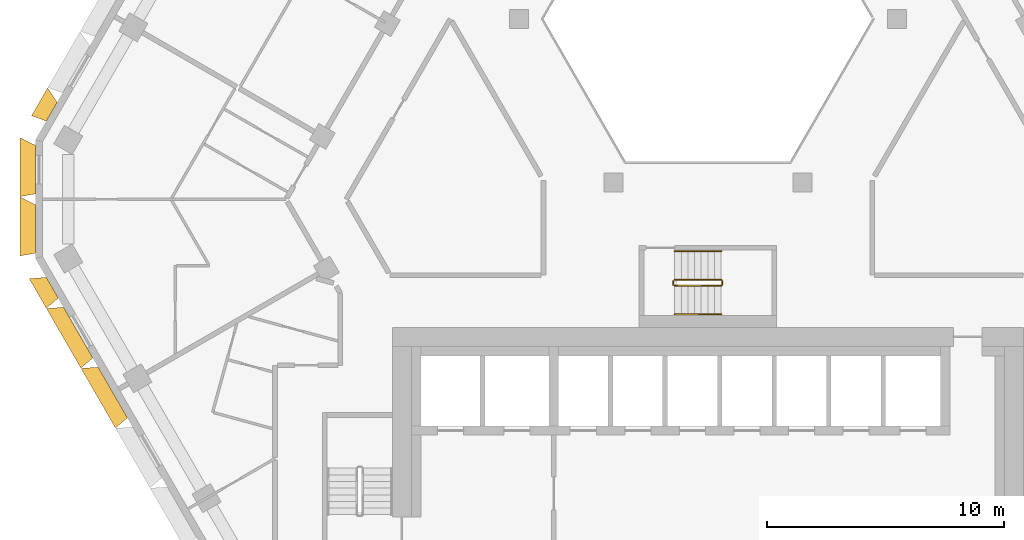
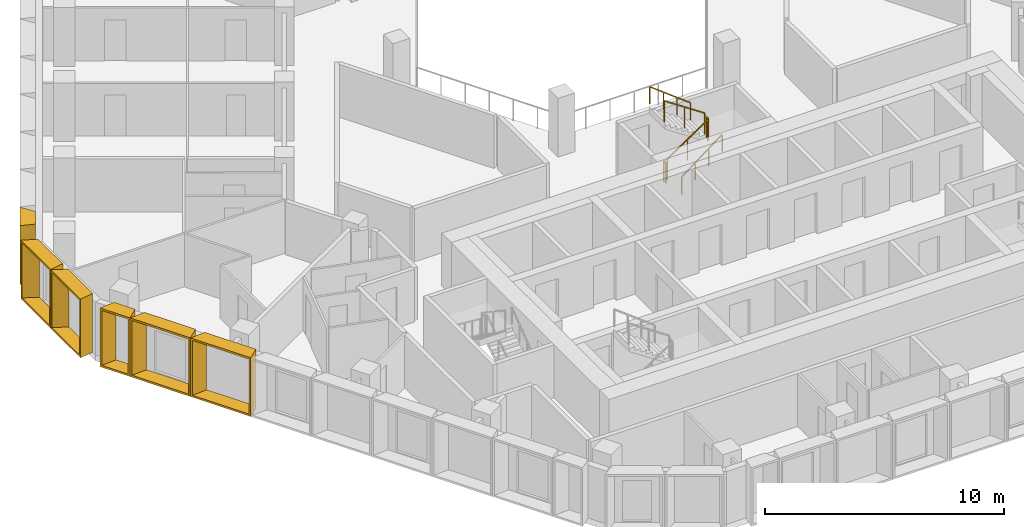
# One storey, part 13 of 15: 6 railings, 6 shading devices.
"""IFC4 building model written with IfcOpenShell, lengths in metres."""

import ifcopenshell
import ifcopenshell.guid

model = None  # the IFC model being written
_history = None  # IfcOwnerHistory: only IFC2X3 demands one
_inside = {}  # id of a spatial element -> (the spatial element, [elements in it])
_under = {}  # id of a project, library or spatial element -> (it, [spatial elements below it])
_declared = {}  # id of a project -> (the project, [libraries it declares])
_typed = {}  # id of a type object -> (the type object, [elements of that type])
_made_of = {}  # id of a material, layer set ... -> (it, [elements and type objects made of it])


def new_model(schema):
    """Start an empty IFC model of exactly this schema.

    Asked for "IFC4X3", IfcOpenShell would pick the latest addendum, in which some entities
    have other attributes; the version numbers below select the first issue.
    IFC2X3 requires an IfcOwnerHistory on every rooted entity: one is made here for all.
    """
    global model, _history
    if schema == "IFC4X3":
        model = ifcopenshell.file(schema_version=(4, 3, 0, 0))
    else:
        model = ifcopenshell.file(schema=schema)
    _inside.clear()
    _under.clear()
    _declared.clear()
    _typed.clear()
    _made_of.clear()
    _history = None
    if model.schema == "IFC2X3":
        org = make("IfcOrganization", Name="unknown")
        user = make(
            "IfcPersonAndOrganization",
            ThePerson=make("IfcPerson", FamilyName="unknown"),
            TheOrganization=org,
        )
        app = make(
            "IfcApplication",
            ApplicationDeveloper=org,
            Version="unknown",
            ApplicationFullName="unknown",
            ApplicationIdentifier="unknown",
        )
        _history = make(
            "IfcOwnerHistory",
            OwningUser=user,
            OwningApplication=app,
            ChangeAction="ADDED",
            CreationDate=0,
        )
    return model


def make(cls, **values):
    """One entity of the class cls with the attributes given. An attribute that is None is left unset."""
    return model.create_entity(
        cls, **{name: value for name, value in values.items() if value is not None}
    )


def entity(cls, *values):
    """Any entity or typed value of the class cls, its attributes in the order of the schema. None: left unset."""
    e = model.create_entity(cls)
    for i, value in enumerate(values):
        if value is not None:
            e[i] = value
    return e


def rooted(cls, **values):
    """An entity with a GlobalId (a new one), such as an element, a storey or a relation."""
    return make(cls, GlobalId=ifcopenshell.guid.new(), OwnerHistory=_history, **values)


def si_unit(unit_type, name, prefix=None):
    """IfcSIUnit, for example si_unit("LENGTHUNIT", "METRE", prefix="MILLI")."""
    return make("IfcSIUnit", UnitType=unit_type, Prefix=prefix, Name=name)


def assignment(units):
    """IfcUnitAssignment: the units of a project."""
    return None if units is None else make("IfcUnitAssignment", Units=units)


def point(xyz):
    """IfcCartesianPoint."""
    return None if xyz is None else make("IfcCartesianPoint", Coordinates=xyz)


def direction(xyz):
    """IfcDirection."""
    return None if xyz is None else make("IfcDirection", DirectionRatios=xyz)


def frame(location, z_axis=None, x_axis=None):
    """IfcAxis2Placement3D, a coordinate frame: its origin and axes. An axis left out is left unset."""
    return make(
        "IfcAxis2Placement3D",
        Location=point(location),
        Axis=direction(z_axis),
        RefDirection=direction(x_axis),
    )


def frame_2d(location, x_axis=None):
    """IfcAxis2Placement2D, a coordinate frame in the plane: its origin and x axis."""
    return make(
        "IfcAxis2Placement2D", Location=point(location), RefDirection=direction(x_axis)
    )


def origin():
    """The frame at (0, 0, 0) with its axes left unset."""
    return frame((0.0, 0.0, 0.0))


def origin_2d():
    """The frame at (0, 0) in the plane with its x axis left unset."""
    return frame_2d((0.0, 0.0))


def place(relative_to, where):
    """IfcLocalPlacement: puts the frame where relative to a parent placement (None: the world)."""
    return make(
        "IfcLocalPlacement", PlacementRelTo=relative_to, RelativePlacement=where
    )


def context(
    kind, dimensions, precision=None, world=None, true_north=None, identifier=None
):
    """IfcGeometricRepresentationContext, for example the 3D "Model" context."""
    return make(
        "IfcGeometricRepresentationContext",
        ContextIdentifier=identifier,
        ContextType=kind,
        CoordinateSpaceDimension=dimensions,
        Precision=precision,
        WorldCoordinateSystem=world,
        TrueNorth=true_north,
    )


def subcontext(parent, identifier, kind, view, scale=None):
    """IfcGeometricRepresentationSubContext, for example "Body" below "Model"."""
    return make(
        "IfcGeometricRepresentationSubContext",
        ContextIdentifier=identifier,
        ContextType=kind,
        ParentContext=parent,
        TargetScale=scale,
        TargetView=view,
    )


def project(units=None, contexts=None):
    """IfcProject with its units and contexts."""
    return rooted(
        "IfcProject",
        Name="project",
        RepresentationContexts=contexts,
        UnitsInContext=assignment(units),
    )


def spatial(cls, under=None, at=None, **own):
    """A site, building, storey or space (cls), placed at a placement, below another one or the project."""
    s = rooted(cls, ObjectPlacement=at, **own)
    if under is not None:
        _under.setdefault(under.id(), (under, []))[1].append(s)
    return s


def profile(cls, at=None, kind="AREA", **sizes):
    """A parametric profile (cls). Its sizes go by their IFC names, for example OverallWidth=200.0."""
    return make(cls, ProfileType=kind, Position=at, **sizes)


def rectangle(**sizes):
    """IfcRectangleProfileDef."""
    return profile("IfcRectangleProfileDef", **sizes)


def extrude(swept, where, along, depth):
    """IfcExtrudedAreaSolid: the profile swept, set in the frame where, extruded along a direction by depth."""
    return make(
        "IfcExtrudedAreaSolid",
        SweptArea=swept,
        Position=where,
        ExtrudedDirection=direction(along),
        Depth=depth,
    )


def shape(context_of_items, identifier, shape_type, items):
    """IfcShapeRepresentation: the items that make up one representation, for example the "Body"."""
    return make(
        "IfcShapeRepresentation",
        ContextOfItems=context_of_items,
        RepresentationIdentifier=identifier,
        RepresentationType=shape_type,
        Items=items,
    )


def source(mapping_origin, context_of_items, identifier, shape_type, items):
    """IfcRepresentationMap: a shape defined once, which mapped items show again and again."""
    return make(
        "IfcRepresentationMap",
        MappingOrigin=mapping_origin,
        MappedRepresentation=shape(context_of_items, identifier, shape_type, items),
    )


def transform(
    local_origin,
    x_axis=None,
    y_axis=None,
    z_axis=None,
    scale=None,
    scale2=None,
    scale3=None,
    uniform=True,
):
    """IfcCartesianTransformationOperator3D, or its non-uniform kind. x_axis, y_axis, z_axis: its Axis1, 2, 3."""
    if uniform:
        return make(
            "IfcCartesianTransformationOperator3D",
            Axis1=direction(x_axis),
            Axis2=direction(y_axis),
            LocalOrigin=point(local_origin),
            Scale=scale,
            Axis3=direction(z_axis),
        )
    return make(
        "IfcCartesianTransformationOperator3DnonUniform",
        Axis1=direction(x_axis),
        Axis2=direction(y_axis),
        LocalOrigin=point(local_origin),
        Scale=scale,
        Axis3=direction(z_axis),
        Scale2=scale2,
        Scale3=scale3,
    )


def mapped(mapping_source, mapping_target):
    """IfcMappedItem: shows the shape of a source again, moved by a transform."""
    return make(
        "IfcMappedItem", MappingSource=mapping_source, MappingTarget=mapping_target
    )


def material(Name=None, Category=None):
    """IfcMaterial."""
    return make("IfcMaterial", Name=Name, Category=Category)


def made_of(thing, what):
    """Note that an element or type object is made of a material, layer set ...; save() writes the relation."""
    if what is not None:
        _made_of.setdefault(what.id(), (what, []))[1].append(thing)
    return thing


def type_object(cls, material=None, **own):
    """A type object (cls), such as IfcWallType, which elements share."""
    return made_of(rooted(cls, **own), material)


def type_shapes(of_type, sources):
    """Give a type object the sources (RepresentationMaps) that its elements show as mapped items."""
    of_type.RepresentationMaps = sources


def element(
    cls,
    number,
    at=None,
    inside=None,
    cuts=None,
    type_object=None,
    material=None,
    context=None,
    identifier="Body",
    shape_type=None,
    held_by="IfcProductDefinitionShape",
    body=None,
    shapes=None,
    **own,
):
    """One element of the class cls, such as IfcWall. Its Tag is "e" and its number.

    at: its placement. inside: the storey or other place that contains it. cuts: it is an
    opening in that element (IfcRelVoidsElement). A single representation is given by context,
    identifier, shape_type and body (its items); several are given by shapes. held_by: the class
    of the entity that holds the representations. save() writes the other relations.
    """
    e = rooted(cls, Tag="e%d" % number, ObjectPlacement=at, **own)
    if body is not None:
        shapes = [shape(context, identifier, shape_type, body)]
    if shapes is not None:
        e.Representation = make(held_by, Representations=shapes)
    if inside is not None:
        _inside.setdefault(inside.id(), (inside, []))[1].append(e)
    if cuts is not None:
        rooted(
            "IfcRelVoidsElement", RelatingBuildingElement=cuts, RelatedOpeningElement=e
        )
    if type_object is not None:
        _typed.setdefault(type_object.id(), (type_object, []))[1].append(e)
    return made_of(e, material)


def aggregate(whole, parts):
    """IfcRelAggregates: a whole, such as a stair, and the parts it consists of."""
    return rooted("IfcRelAggregates", RelatingObject=whole, RelatedObjects=parts)


def save(model, path):
    """Write the relations noted so far, then the file.

    IfcRelAggregates (storeys below a building ...), IfcRelContainedInSpatialStructure (elements
    in a storey), IfcRelDefinesByType, IfcRelAssociatesMaterial and IfcRelDeclares: one each for
    every whole, place, type object, material and project.
    """
    for whole, parts in _under.values():
        aggregate(whole, parts)
    for where, things in _inside.values():
        rooted(
            "IfcRelContainedInSpatialStructure",
            RelatedElements=things,
            RelatingStructure=where,
        )
    for kind, things in _typed.values():
        rooted("IfcRelDefinesByType", RelatedObjects=things, RelatingType=kind)
    for what, things in _made_of.values():
        rooted("IfcRelAssociatesMaterial", RelatedObjects=things, RelatingMaterial=what)
    for by, libraries in _declared.values():
        rooted("IfcRelDeclares", RelatingContext=by, RelatedDefinitions=libraries)
    model.write(path)


model = new_model("IFC4")

# Units and contexts
model_context = context("Model", 3, precision=1e-05, world=origin(), true_north=direction((0.0, 1.0)))
body_context = subcontext(model_context, "Body", "Model", "MODEL_VIEW")
ifc_project = project(units=[si_unit("LENGTHUNIT", "METRE"), si_unit("AREAUNIT", "SQUARE_METRE"), si_unit("VOLUMEUNIT", "CUBIC_METRE"), si_unit("PLANEANGLEUNIT", "RADIAN"), si_unit("MASSUNIT", "GRAM", prefix="KILO")], contexts=[model_context])

# Site, building, storey
site_placement = place(None, origin())
site = spatial("IfcSite", under=ifc_project, at=site_placement, CompositionType="ELEMENT")
building_placement = place(site_placement, origin())
building = spatial("IfcBuilding", under=site, at=building_placement, Name="Beryl Residences", CompositionType="ELEMENT")
storey_placement = place(building_placement, frame((0.0, 0.0, 129.60009765625)))
storey = spatial("IfcBuildingStorey", under=building, at=storey_placement, Name="L39", CompositionType="ELEMENT", Elevation=129.60009765625)

# Shading devices
ifc_material_1 = material(Name="Aluminium pale anodised", Category="aluminium")
shading_device_type_1 = type_object("IfcShadingDeviceType", Name="FR137-65B OUTER SKIN frame 650 mm deep, splay 26/10 deg, 1370 x 3000 mm cell", PredefinedType="USERDEFINED", material=ifc_material_1)
cartesian_point_1 = entity("IfcCartesianPoint", [-0.458984375, 0.0])
cartesian_point_2 = entity("IfcCartesianPoint", [-0.369873046875, 0.10009765625])
cartesian_point_3 = entity("IfcCartesianPoint", [-0.776123046875, 0.0])
cartesian_point_4 = entity("IfcCartesianPoint", [-0.68701171875, 0.10009765625])
shared_shape_1 = source(origin(), body_context, "Body", "SweptSolid", [
    entity("IfcExtrudedAreaSolidTapered", entity("IfcArbitraryProfileDefWithVoids", "AREA", None, entity("IfcPolyline", [cartesian_point_1, entity("IfcCartesianPoint", [0.458984375, 0.0]), entity("IfcCartesianPoint", [0.458984375, 3.0]), entity("IfcCartesianPoint", [-0.458984375, 3.0]), cartesian_point_1]), [entity("IfcPolyline", [cartesian_point_2, entity("IfcCartesianPoint", [0.377685546875, 0.10009765625]), entity("IfcCartesianPoint", [0.377685546875, 2.89990234375]), entity("IfcCartesianPoint", [-0.369873046875, 2.89990234375]), cartesian_point_2])]), entity("IfcAxis2Placement3D", entity("IfcCartesianPoint", [0.0, 0.0, 0.0]), entity("IfcDirection", [0.0, 1.0, 0.0]), entity("IfcDirection", [-1.0, 0.0, 0.0])), entity("IfcDirection", [0.0, 0.0, 1.0]), 0.64990234375, entity("IfcArbitraryProfileDefWithVoids", "AREA", None, entity("IfcPolyline", [cartesian_point_3, entity("IfcCartesianPoint", [0.57373046875, 0.0]), entity("IfcCartesianPoint", [0.57373046875, 3.0]), entity("IfcCartesianPoint", [-0.776123046875, 3.0]), cartesian_point_3]), [entity("IfcPolyline", [cartesian_point_4, entity("IfcCartesianPoint", [0.492431640625, 0.10009765625]), entity("IfcCartesianPoint", [0.492431640625, 2.89990234375]), entity("IfcCartesianPoint", [-0.68701171875, 2.89990234375]), cartesian_point_4])])),
])
type_shapes(shading_device_type_1, [shared_shape_1])
shading_device_1_placement = place(storey_placement, frame((-27.658935546875, 4.093017578125, 0.0), z_axis=(0.0, 0.0, 1.0), x_axis=(0.5, 0.866025403784, 0.0)))
element("IfcShadingDevice", 1, at=shading_device_1_placement, inside=storey, type_object=shading_device_type_1, Name="FR137-65B frame L39 NW 9", ObjectType="OUTER SKIN", PredefinedType="USERDEFINED", context=body_context, shape_type="MappedRepresentation", body=[
    mapped(shared_shape_1, transform((0.0, 0.0, 0.0))),
])
ifc_material_2 = material(Name="Aluminium pale anodised", Category="aluminium")
shading_device_type_2 = type_object("IfcShadingDeviceType", Name="FR146-65B OUTER SKIN frame 650 mm deep, splay 26/10 deg, 1460 x 3000 mm cell", PredefinedType="USERDEFINED", material=ifc_material_2)
cartesian_point_5 = entity("IfcCartesianPoint", [-0.50390625, 0.0])
cartesian_point_6 = entity("IfcCartesianPoint", [-0.4150390625, 0.10009765625])
cartesian_point_7 = entity("IfcCartesianPoint", [-0.821044921875, 0.0])
cartesian_point_8 = entity("IfcCartesianPoint", [-0.73193359375, 0.10009765625])
shared_shape_2 = source(origin(), body_context, "Body", "SweptSolid", [
    entity("IfcExtrudedAreaSolidTapered", entity("IfcArbitraryProfileDefWithVoids", "AREA", None, entity("IfcPolyline", [cartesian_point_5, entity("IfcCartesianPoint", [0.50390625, 0.0]), entity("IfcCartesianPoint", [0.50390625, 3.0]), entity("IfcCartesianPoint", [-0.50390625, 3.0]), cartesian_point_5]), [entity("IfcPolyline", [cartesian_point_6, entity("IfcCartesianPoint", [0.4228515625, 0.10009765625]), entity("IfcCartesianPoint", [0.4228515625, 2.89990234375]), entity("IfcCartesianPoint", [-0.4150390625, 2.89990234375]), cartesian_point_6])]), entity("IfcAxis2Placement3D", entity("IfcCartesianPoint", [0.0, 0.0, 0.0]), entity("IfcDirection", [0.0, 1.0, 0.0]), entity("IfcDirection", [-1.0, 0.0, 0.0])), entity("IfcDirection", [0.0, 0.0, 1.0]), 0.64990234375, entity("IfcArbitraryProfileDefWithVoids", "AREA", None, entity("IfcPolyline", [cartesian_point_7, entity("IfcCartesianPoint", [0.61865234375, 0.0]), entity("IfcCartesianPoint", [0.61865234375, 3.0]), entity("IfcCartesianPoint", [-0.821044921875, 3.0]), cartesian_point_7]), [entity("IfcPolyline", [cartesian_point_8, entity("IfcCartesianPoint", [0.537353515625, 0.10009765625]), entity("IfcCartesianPoint", [0.537353515625, 2.89990234375]), entity("IfcCartesianPoint", [-0.73193359375, 2.89990234375]), cartesian_point_8])])),
])
type_shapes(shading_device_type_2, [shared_shape_2])
shading_device_2_placement = place(storey_placement, frame((-27.636962890625, -3.3310546875, 0.0), z_axis=(0.0, 0.0, 1.0), x_axis=(-0.5, 0.866025403784, 0.0)))
element("IfcShadingDevice", 2, at=shading_device_2_placement, inside=storey, type_object=shading_device_type_2, Name="FR146-65B frame L39 SW 1", ObjectType="OUTER SKIN", PredefinedType="USERDEFINED", context=body_context, shape_type="MappedRepresentation", body=[
    mapped(shared_shape_2, transform((0.0, 0.0, 0.0))),
])
ifc_material_3 = material(Name="Aluminium pale anodised", Category="aluminium")
shading_device_type_3 = type_object("IfcShadingDeviceType", Name="FR250-65B OUTER SKIN frame 650 mm deep, splay 26/10 deg, 2500 x 3000 mm cell", PredefinedType="USERDEFINED", material=ifc_material_3)
cartesian_point_9 = entity("IfcCartesianPoint", [-1.02392578125, 0.0])
cartesian_point_10 = entity("IfcCartesianPoint", [-0.93505859375, 0.10009765625])
cartesian_point_11 = entity("IfcCartesianPoint", [-1.341064453125, 0.0])
cartesian_point_12 = entity("IfcCartesianPoint", [-1.251953125, 0.10009765625])
shared_shape_3 = source(origin(), body_context, "Body", "SweptSolid", [
    entity("IfcExtrudedAreaSolidTapered", entity("IfcArbitraryProfileDefWithVoids", "AREA", None, entity("IfcPolyline", [cartesian_point_9, entity("IfcCartesianPoint", [1.02392578125, 0.0]), entity("IfcCartesianPoint", [1.02392578125, 3.0]), entity("IfcCartesianPoint", [-1.02392578125, 3.0]), cartesian_point_9]), [entity("IfcPolyline", [cartesian_point_10, entity("IfcCartesianPoint", [0.94287109375, 0.10009765625]), entity("IfcCartesianPoint", [0.94287109375, 2.89990234375]), entity("IfcCartesianPoint", [-0.93505859375, 2.89990234375]), cartesian_point_10])]), entity("IfcAxis2Placement3D", entity("IfcCartesianPoint", [0.0, 0.0, 0.0]), entity("IfcDirection", [0.0, 1.0, 0.0]), entity("IfcDirection", [-1.0, 0.0, 0.0])), entity("IfcDirection", [0.0, 0.0, 1.0]), 0.64990234375, entity("IfcArbitraryProfileDefWithVoids", "AREA", None, entity("IfcPolyline", [cartesian_point_11, entity("IfcCartesianPoint", [1.138671875, 0.0]), entity("IfcCartesianPoint", [1.138671875, 3.0]), entity("IfcCartesianPoint", [-1.341064453125, 3.0]), cartesian_point_11]), [entity("IfcPolyline", [cartesian_point_12, entity("IfcCartesianPoint", [1.057373046875, 0.10009765625]), entity("IfcCartesianPoint", [1.057373046875, 2.89990234375]), entity("IfcCartesianPoint", [-1.251953125, 2.89990234375]), cartesian_point_12])])),
])
type_shapes(shading_device_type_3, [shared_shape_3])
for number, where, z_axis, x_axis, name in (
    (3, (-28.347900390625, 1.64990234375, 0.0), (0.0, 0.0, 1.0), (0.0, 1.0, 0.0), "FR250-65B frame L39 NW-SW 1"),
    (4, (-28.347900390625, -0.85009765625, 0.0), (0.0, 0.0, 1.0), (0.0, 1.0, 0.0), "FR250-65B frame L39 NW-SW 2"),
):
    element("IfcShadingDevice", number, at=place(storey_placement, frame(where, z_axis=z_axis, x_axis=x_axis)), inside=storey, type_object=shading_device_type_3, Name=name, ObjectType="OUTER SKIN", PredefinedType="USERDEFINED", context=body_context, shape_type="MappedRepresentation", body=[
        mapped(shared_shape_3, transform((0.0, 0.0, 0.0))),
    ])
ifc_material_4 = material(Name="Aluminium pale anodised", Category="aluminium")
shading_device_type_4 = type_object("IfcShadingDeviceType", Name="FR292-65B OUTER SKIN frame 650 mm deep, splay 26/10 deg, 2920 x 3000 mm cell", PredefinedType="USERDEFINED", material=ifc_material_4)
cartesian_point_13 = entity("IfcCartesianPoint", [-1.23388671875, 0.0])
cartesian_point_14 = entity("IfcCartesianPoint", [-1.14501953125, 0.10009765625])
cartesian_point_15 = entity("IfcCartesianPoint", [-1.551025390625, 0.0])
cartesian_point_16 = entity("IfcCartesianPoint", [-1.4619140625, 0.10009765625])
shared_shape_4 = source(origin(), body_context, "Body", "SweptSolid", [
    entity("IfcExtrudedAreaSolidTapered", entity("IfcArbitraryProfileDefWithVoids", "AREA", None, entity("IfcPolyline", [cartesian_point_13, entity("IfcCartesianPoint", [1.23388671875, 0.0]), entity("IfcCartesianPoint", [1.23388671875, 3.0]), entity("IfcCartesianPoint", [-1.23388671875, 3.0]), cartesian_point_13]), [entity("IfcPolyline", [cartesian_point_14, entity("IfcCartesianPoint", [1.15283203125, 0.10009765625]), entity("IfcCartesianPoint", [1.15283203125, 2.89990234375]), entity("IfcCartesianPoint", [-1.14501953125, 2.89990234375]), cartesian_point_14])]), entity("IfcAxis2Placement3D", entity("IfcCartesianPoint", [0.0, 0.0, 0.0]), entity("IfcDirection", [0.0, 1.0, 0.0]), entity("IfcDirection", [-1.0, 0.0, 0.0])), entity("IfcDirection", [0.0, 0.0, 1.0]), 0.64990234375, entity("IfcArbitraryProfileDefWithVoids", "AREA", None, entity("IfcPolyline", [cartesian_point_15, entity("IfcCartesianPoint", [1.3486328125, 0.0]), entity("IfcCartesianPoint", [1.3486328125, 3.0]), entity("IfcCartesianPoint", [-1.551025390625, 3.0]), cartesian_point_15]), [entity("IfcPolyline", [cartesian_point_16, entity("IfcCartesianPoint", [1.267333984375, 0.10009765625]), entity("IfcCartesianPoint", [1.267333984375, 2.89990234375]), entity("IfcCartesianPoint", [-1.4619140625, 2.89990234375]), cartesian_point_16])])),
])
type_shapes(shading_device_type_4, [shared_shape_4])
for number, where, z_axis, x_axis, name in (
    (5, (-26.5439453125, -5.22412109375, 0.0), (0.0, 0.0, 1.0), (-0.5, 0.866025403784, 0.0), "FR292-65B frame L39 SW 2"),
    (6, (-25.0859375, -7.7490234375, 0.0), (0.0, 0.0, 1.0), (-0.5, 0.866025403784, 0.0), "FR292-65B frame L39 SW 3"),
):
    element("IfcShadingDevice", number, at=place(storey_placement, frame(where, z_axis=z_axis, x_axis=x_axis)), inside=storey, type_object=shading_device_type_4, Name=name, ObjectType="OUTER SKIN", PredefinedType="USERDEFINED", context=body_context, shape_type="MappedRepresentation", body=[
        mapped(shared_shape_4, transform((0.0, 0.0, 0.0))),
    ])

# Railings
ifc_material_5 = material(Name="Stainless steel balustrade with glass infill", Category="steel")
railing_type_1 = type_object("IfcRailingType", Name="SG1 stair guard 1100 mm", PredefinedType="GUARDRAIL", material=ifc_material_5)
railing_1_placement = place(storey_placement, frame((-1.39990234375, -3.25, 0.1875)))
element("IfcRailing", 7, at=railing_1_placement, inside=storey, type_object=railing_type_1, Name="L39 ST-4 stair guard 1", PredefinedType="GUARDRAIL", context=body_context, shape_type="SweptSolid", body=[
    extrude(rectangle(XDim=0.048095703125, YDim=0.048095703125, at=origin_2d()), frame((0.0, 0.0, 1.076171875), z_axis=(0.830902050051, 0.0, 0.556418712142), x_axis=(0.0, 1.0, 0.0)), (0.0, 0.0, 1.0), 2.35888671875),
    extrude(rectangle(XDim=0.0419921875, YDim=0.0419921875, at=origin_2d()), origin(), (0.0, 0.0, 1.0), 1.052001953125),
    extrude(rectangle(XDim=0.0419921875, YDim=0.0419921875, at=origin_2d()), frame((0.97998046875, 0.0, 0.65625)), (0.0, 0.0, 1.0), 1.052001953125),
    extrude(rectangle(XDim=0.0419921875, YDim=0.0419921875, at=origin_2d()), frame((1.9599609375, 0.0, 1.3125)), (0.0, 0.0, 1.0), 1.052001953125),
])
railing_2_placement = place(storey_placement, frame((0.610107421875, -3.199951171875, 1.5)))
element("IfcRailing", 8, at=railing_2_placement, inside=storey, type_object=railing_type_1, Name="L39 ST-4 stair guard 2", PredefinedType="GUARDRAIL", context=body_context, shape_type="SweptSolid", body=[
    extrude(rectangle(XDim=0.048095703125, YDim=0.048095703125, at=origin_2d()), frame((0.0, 0.0, 1.076171875), z_axis=(0.0, 1.0, 0.0), x_axis=(-1.0, 0.0, 0.0)), (0.0, 0.0, 1.0), 0.14990234375),
    extrude(rectangle(XDim=0.0419921875, YDim=0.0419921875, at=origin_2d()), origin(), (0.0, 0.0, 1.0), 1.052001953125),
    extrude(rectangle(XDim=0.0419921875, YDim=0.0419921875, at=origin_2d()), frame((0.0, 0.14990234375, 0.0)), (0.0, 0.0, 1.0), 1.052001953125),
])
railing_3_placement = place(storey_placement, frame((0.56005859375, -3.0, 1.6875)))
element("IfcRailing", 9, at=railing_3_placement, inside=storey, type_object=railing_type_1, Name="L39 ST-4 stair guard 3", PredefinedType="GUARDRAIL", context=body_context, shape_type="SweptSolid", body=[
    extrude(rectangle(XDim=0.048095703125, YDim=0.048095703125, at=origin_2d()), frame((0.0, 0.0, 1.076171875), z_axis=(-0.830902050051, 0.0, 0.556418712142), x_axis=(0.0, -1.0, 0.0)), (0.0, 0.0, 1.0), 2.35888671875),
    extrude(rectangle(XDim=0.0419921875, YDim=0.0419921875, at=origin_2d()), origin(), (0.0, 0.0, 1.0), 1.052001953125),
    extrude(rectangle(XDim=0.0419921875, YDim=0.0419921875, at=origin_2d()), frame((-0.97998046875, 0.0, 0.65625)), (0.0, 0.0, 1.0), 1.052001953125),
    extrude(rectangle(XDim=0.0419921875, YDim=0.0419921875, at=origin_2d()), frame((-1.9599609375, 0.0, 1.3125)), (0.0, 0.0, 1.0), 1.052001953125),
])
railing_4_placement = place(storey_placement, frame((-1.449951171875, -3.199951171875, 0.0)))
element("IfcRailing", 10, at=railing_4_placement, inside=storey, type_object=railing_type_1, Name="L39 ST-4 stair guard 4", PredefinedType="GUARDRAIL", context=body_context, shape_type="SweptSolid", body=[
    extrude(rectangle(XDim=0.048095703125, YDim=0.048095703125, at=origin_2d()), frame((0.0, 0.0, 1.076171875), z_axis=(0.0, 1.0, 0.0), x_axis=(-1.0, 0.0, 0.0)), (0.0, 0.0, 1.0), 0.14990234375),
    extrude(rectangle(XDim=0.0419921875, YDim=0.0419921875, at=origin_2d()), origin(), (0.0, 0.0, 1.0), 1.052001953125),
    extrude(rectangle(XDim=0.0419921875, YDim=0.0419921875, at=origin_2d()), frame((0.0, 0.14990234375, 0.0)), (0.0, 0.0, 1.0), 1.052001953125),
])
ifc_material_6 = material(Name="Stainless steel handrail", Category="steel")
railing_type_2 = type_object("IfcRailingType", Name="SRL1 stair handrail 900 mm", PredefinedType="HANDRAIL", material=ifc_material_6)
railing_5_placement = place(storey_placement, frame((-1.39990234375, -4.449951171875, 0.1875)))
element("IfcRailing", 11, at=railing_5_placement, inside=storey, type_object=railing_type_2, Name="L39 ST-4 stair handrail 1", PredefinedType="HANDRAIL", context=body_context, shape_type="SweptSolid", body=[
    extrude(rectangle(XDim=0.048095703125, YDim=0.048095703125, at=origin_2d()), frame((0.0, 0.0, 0.8759765625), z_axis=(0.794121922505, 0.0, 0.607758481798), x_axis=(0.0, 1.0, 0.0)), (0.0, 0.0, 1.0), 2.468017578125),
    extrude(rectangle(XDim=0.0419921875, YDim=0.0419921875, at=origin_2d()), origin(), (0.0, 0.0, 1.0), 0.851806640625),
    extrude(rectangle(XDim=0.0419921875, YDim=0.0419921875, at=origin_2d()), frame((0.6533203125, 0.0, 0.5)), (0.0, 0.0, 1.0), 0.851806640625),
    extrude(rectangle(XDim=0.0419921875, YDim=0.0419921875, at=origin_2d()), frame((1.306640625, 0.0, 1.0)), (0.0, 0.0, 1.0), 0.851806640625),
    extrude(rectangle(XDim=0.0419921875, YDim=0.0419921875, at=origin_2d()), frame((1.9599609375, 0.0, 1.5)), (0.0, 0.0, 1.0), 0.851806640625),
])
railing_6_placement = place(storey_placement, frame((0.56005859375, -1.800048828125, 1.6875)))
element("IfcRailing", 12, at=railing_6_placement, inside=storey, type_object=railing_type_2, Name="L39 ST-4 stair handrail 2", PredefinedType="HANDRAIL", context=body_context, shape_type="SweptSolid", body=[
    extrude(rectangle(XDim=0.048095703125, YDim=0.048095703125, at=origin_2d()), frame((0.0, 0.0, 0.8759765625), z_axis=(-0.794121922505, 0.0, 0.607758481798), x_axis=(0.0, -1.0, 0.0)), (0.0, 0.0, 1.0), 2.468017578125),
    extrude(rectangle(XDim=0.0419921875, YDim=0.0419921875, at=origin_2d()), origin(), (0.0, 0.0, 1.0), 0.851806640625),
    extrude(rectangle(XDim=0.0419921875, YDim=0.0419921875, at=origin_2d()), frame((-0.6533203125, 0.0, 0.5)), (0.0, 0.0, 1.0), 0.851806640625),
    extrude(rectangle(XDim=0.0419921875, YDim=0.0419921875, at=origin_2d()), frame((-1.306640625, 0.0, 1.0)), (0.0, 0.0, 1.0), 0.851806640625),
    extrude(rectangle(XDim=0.0419921875, YDim=0.0419921875, at=origin_2d()), frame((-1.9599609375, 0.0, 1.5)), (0.0, 0.0, 1.0), 0.851806640625),
])

save(model, "model.ifc")
